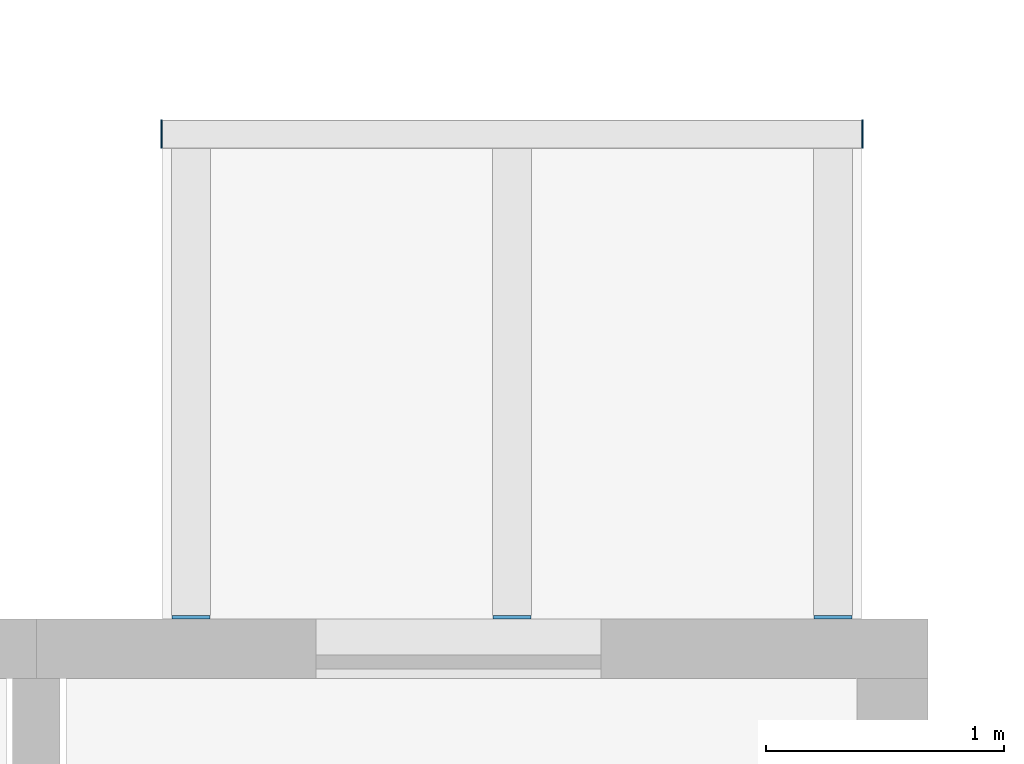
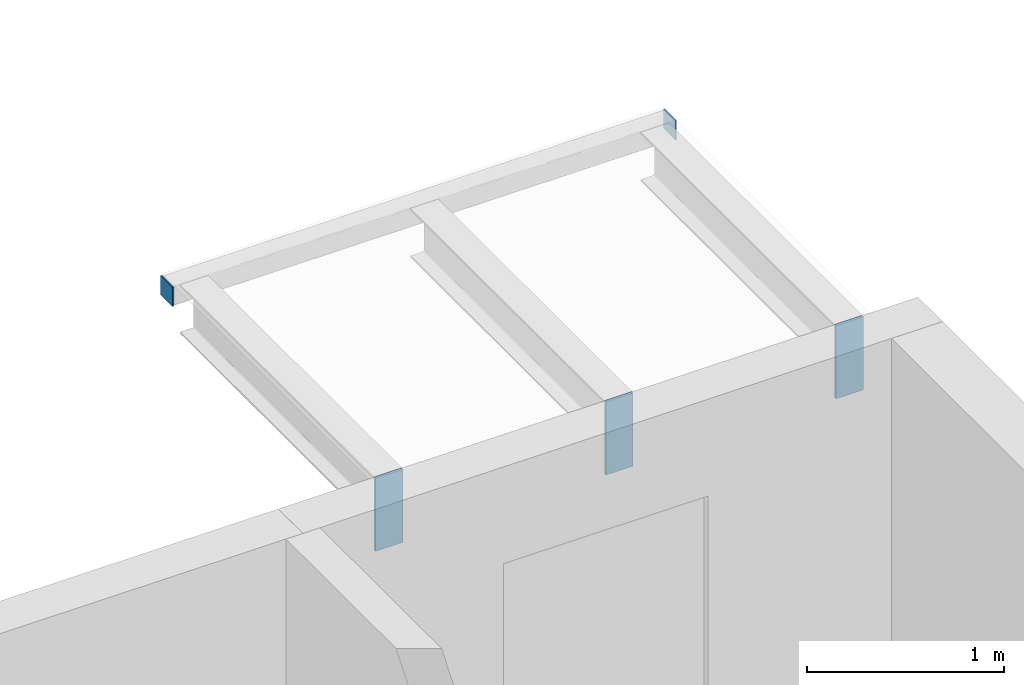
# One storey, part 67 of 98: 5 discrete accessories.
"""IFC4 building model written with IfcOpenShell, lengths in metres."""

import ifcopenshell
import ifcopenshell.guid

model = None  # the IFC model being written
_history = None  # IfcOwnerHistory: only IFC2X3 demands one
_inside = {}  # id of a spatial element -> (the spatial element, [elements in it])
_under = {}  # id of a project, library or spatial element -> (it, [spatial elements below it])
_declared = {}  # id of a project -> (the project, [libraries it declares])
_typed = {}  # id of a type object -> (the type object, [elements of that type])
_made_of = {}  # id of a material, layer set ... -> (it, [elements and type objects made of it])


def new_model(schema):
    """Start an empty IFC model of exactly this schema.

    Asked for "IFC4X3", IfcOpenShell would pick the latest addendum, in which some entities
    have other attributes; the version numbers below select the first issue.
    IFC2X3 requires an IfcOwnerHistory on every rooted entity: one is made here for all.
    """
    global model, _history
    if schema == "IFC4X3":
        model = ifcopenshell.file(schema_version=(4, 3, 0, 0))
    else:
        model = ifcopenshell.file(schema=schema)
    _inside.clear()
    _under.clear()
    _declared.clear()
    _typed.clear()
    _made_of.clear()
    _history = None
    if model.schema == "IFC2X3":
        org = make("IfcOrganization", Name="unknown")
        user = make(
            "IfcPersonAndOrganization",
            ThePerson=make("IfcPerson", FamilyName="unknown"),
            TheOrganization=org,
        )
        app = make(
            "IfcApplication",
            ApplicationDeveloper=org,
            Version="unknown",
            ApplicationFullName="unknown",
            ApplicationIdentifier="unknown",
        )
        _history = make(
            "IfcOwnerHistory",
            OwningUser=user,
            OwningApplication=app,
            ChangeAction="ADDED",
            CreationDate=0,
        )
    return model


def make(cls, **values):
    """One entity of the class cls with the attributes given. An attribute that is None is left unset."""
    return model.create_entity(
        cls, **{name: value for name, value in values.items() if value is not None}
    )


def rooted(cls, **values):
    """An entity with a GlobalId (a new one), such as an element, a storey or a relation."""
    return make(cls, GlobalId=ifcopenshell.guid.new(), OwnerHistory=_history, **values)


def si_unit(unit_type, name, prefix=None):
    """IfcSIUnit, for example si_unit("LENGTHUNIT", "METRE", prefix="MILLI")."""
    return make("IfcSIUnit", UnitType=unit_type, Prefix=prefix, Name=name)


def assignment(units):
    """IfcUnitAssignment: the units of a project."""
    return None if units is None else make("IfcUnitAssignment", Units=units)


def point(xyz):
    """IfcCartesianPoint."""
    return None if xyz is None else make("IfcCartesianPoint", Coordinates=xyz)


def direction(xyz):
    """IfcDirection."""
    return None if xyz is None else make("IfcDirection", DirectionRatios=xyz)


def frame(location, z_axis=None, x_axis=None):
    """IfcAxis2Placement3D, a coordinate frame: its origin and axes. An axis left out is left unset."""
    return make(
        "IfcAxis2Placement3D",
        Location=point(location),
        Axis=direction(z_axis),
        RefDirection=direction(x_axis),
    )


def frame_2d(location, x_axis=None):
    """IfcAxis2Placement2D, a coordinate frame in the plane: its origin and x axis."""
    return make(
        "IfcAxis2Placement2D", Location=point(location), RefDirection=direction(x_axis)
    )


def origin():
    """The frame at (0, 0, 0) with its axes left unset."""
    return frame((0.0, 0.0, 0.0))


def origin_2d():
    """The frame at (0, 0) in the plane with its x axis left unset."""
    return frame_2d((0.0, 0.0))


def place(relative_to, where):
    """IfcLocalPlacement: puts the frame where relative to a parent placement (None: the world)."""
    return make(
        "IfcLocalPlacement", PlacementRelTo=relative_to, RelativePlacement=where
    )


def context(
    kind, dimensions, precision=None, world=None, true_north=None, identifier=None
):
    """IfcGeometricRepresentationContext, for example the 3D "Model" context."""
    return make(
        "IfcGeometricRepresentationContext",
        ContextIdentifier=identifier,
        ContextType=kind,
        CoordinateSpaceDimension=dimensions,
        Precision=precision,
        WorldCoordinateSystem=world,
        TrueNorth=true_north,
    )


def subcontext(parent, identifier, kind, view, scale=None):
    """IfcGeometricRepresentationSubContext, for example "Body" below "Model"."""
    return make(
        "IfcGeometricRepresentationSubContext",
        ContextIdentifier=identifier,
        ContextType=kind,
        ParentContext=parent,
        TargetScale=scale,
        TargetView=view,
    )


def project(units=None, contexts=None):
    """IfcProject with its units and contexts."""
    return rooted(
        "IfcProject",
        Name="project",
        RepresentationContexts=contexts,
        UnitsInContext=assignment(units),
    )


def spatial(cls, under=None, at=None, **own):
    """A site, building, storey or space (cls), placed at a placement, below another one or the project."""
    s = rooted(cls, ObjectPlacement=at, **own)
    if under is not None:
        _under.setdefault(under.id(), (under, []))[1].append(s)
    return s


def profile(cls, at=None, kind="AREA", **sizes):
    """A parametric profile (cls). Its sizes go by their IFC names, for example OverallWidth=200.0."""
    return make(cls, ProfileType=kind, Position=at, **sizes)


def rectangle(**sizes):
    """IfcRectangleProfileDef."""
    return profile("IfcRectangleProfileDef", **sizes)


def extrude(swept, where, along, depth):
    """IfcExtrudedAreaSolid: the profile swept, set in the frame where, extruded along a direction by depth."""
    return make(
        "IfcExtrudedAreaSolid",
        SweptArea=swept,
        Position=where,
        ExtrudedDirection=direction(along),
        Depth=depth,
    )


def shape(context_of_items, identifier, shape_type, items):
    """IfcShapeRepresentation: the items that make up one representation, for example the "Body"."""
    return make(
        "IfcShapeRepresentation",
        ContextOfItems=context_of_items,
        RepresentationIdentifier=identifier,
        RepresentationType=shape_type,
        Items=items,
    )


def material(Name=None, Category=None):
    """IfcMaterial."""
    return make("IfcMaterial", Name=Name, Category=Category)


def layer(
    of_material, thickness, ventilated=None, Name=None, Category=None, Priority=None
):
    """IfcMaterialLayer: one layer of a wall or slab, of a material (None: an air gap)."""
    return make(
        "IfcMaterialLayer",
        Material=of_material,
        LayerThickness=thickness,
        IsVentilated=ventilated,
        Name=Name,
        Category=Category,
        Priority=Priority,
    )


def layer_set(layers, Name=None):
    """IfcMaterialLayerSet."""
    return make("IfcMaterialLayerSet", MaterialLayers=layers, LayerSetName=Name)


def made_of(thing, what):
    """Note that an element or type object is made of a material, layer set ...; save() writes the relation."""
    if what is not None:
        _made_of.setdefault(what.id(), (what, []))[1].append(thing)
    return thing


def type_object(cls, material=None, **own):
    """A type object (cls), such as IfcWallType, which elements share."""
    return made_of(rooted(cls, **own), material)


def element(
    cls,
    number,
    at=None,
    inside=None,
    cuts=None,
    type_object=None,
    material=None,
    context=None,
    identifier="Body",
    shape_type=None,
    held_by="IfcProductDefinitionShape",
    body=None,
    shapes=None,
    **own,
):
    """One element of the class cls, such as IfcWall. Its Tag is "e" and its number.

    at: its placement. inside: the storey or other place that contains it. cuts: it is an
    opening in that element (IfcRelVoidsElement). A single representation is given by context,
    identifier, shape_type and body (its items); several are given by shapes. held_by: the class
    of the entity that holds the representations. save() writes the other relations.
    """
    e = rooted(cls, Tag="e%d" % number, ObjectPlacement=at, **own)
    if body is not None:
        shapes = [shape(context, identifier, shape_type, body)]
    if shapes is not None:
        e.Representation = make(held_by, Representations=shapes)
    if inside is not None:
        _inside.setdefault(inside.id(), (inside, []))[1].append(e)
    if cuts is not None:
        rooted(
            "IfcRelVoidsElement", RelatingBuildingElement=cuts, RelatedOpeningElement=e
        )
    if type_object is not None:
        _typed.setdefault(type_object.id(), (type_object, []))[1].append(e)
    return made_of(e, material)


def aggregate(whole, parts):
    """IfcRelAggregates: a whole, such as a stair, and the parts it consists of."""
    return rooted("IfcRelAggregates", RelatingObject=whole, RelatedObjects=parts)


def save(model, path):
    """Write the relations noted so far, then the file.

    IfcRelAggregates (storeys below a building ...), IfcRelContainedInSpatialStructure (elements
    in a storey), IfcRelDefinesByType, IfcRelAssociatesMaterial and IfcRelDeclares: one each for
    every whole, place, type object, material and project.
    """
    for whole, parts in _under.values():
        aggregate(whole, parts)
    for where, things in _inside.values():
        rooted(
            "IfcRelContainedInSpatialStructure",
            RelatedElements=things,
            RelatingStructure=where,
        )
    for kind, things in _typed.values():
        rooted("IfcRelDefinesByType", RelatedObjects=things, RelatingType=kind)
    for what, things in _made_of.values():
        rooted("IfcRelAssociatesMaterial", RelatedObjects=things, RelatingMaterial=what)
    for by, libraries in _declared.values():
        rooted("IfcRelDeclares", RelatingContext=by, RelatedDefinitions=libraries)
    model.write(path)


model = new_model("IFC4")

# Units and contexts
model_context = context("Model", 3, precision=1e-05, world=origin(), true_north=direction((0.0, 1.0)))
body_context = subcontext(model_context, "Body", "Model", "MODEL_VIEW")
ifc_project = project(units=[si_unit("LENGTHUNIT", "METRE"), si_unit("AREAUNIT", "SQUARE_METRE"), si_unit("VOLUMEUNIT", "CUBIC_METRE"), si_unit("PLANEANGLEUNIT", "RADIAN"), si_unit("MASSUNIT", "GRAM", prefix="KILO")], contexts=[model_context])

# Site, building, storey
site_placement = place(None, origin())
site = spatial("IfcSite", under=ifc_project, at=site_placement, CompositionType="ELEMENT")
building_placement = place(site_placement, origin())
building = spatial("IfcBuilding", under=site, at=building_placement, Name="Ridgestep Commons", CompositionType="ELEMENT")
storey_placement = place(building_placement, frame((0.0, 0.0, 12.0)))
storey = spatial("IfcBuildingStorey", under=building, at=storey_placement, Name="L04", CompositionType="ELEMENT", Elevation=12.0)

# Discrete accessories
ifc_material_1 = material(Name="Weathering steel S355J2W", Category="steel")
ifc_layer_1 = layer(ifc_material_1, 0.014892578125)
ifc_layer_set_1 = layer_set([ifc_layer_1], Name="Tray bracket plate 15")
discrete_accessory_type_1 = type_object("IfcDiscreteAccessoryType", Name="Tray bracket plate 15", PredefinedType="BRACKET", material=ifc_layer_set_1)
for number, where, z_axis, x_axis, name in (
    (1, (109.85009765625, 23.007568359375, 2.53662109375), (0.0, 0.0, 1.0), (1.0, 0.0, 0.0), "Tray bracket A6T1-05.1"),
    (2, (111.199951171875, 23.007568359375, 2.53662109375), (0.0, 0.0, 1.0), (1.0, 0.0, 0.0), "Tray bracket A6T1-05.2"),
    (3, (112.550048828125, 23.007568359375, 2.53662109375), (0.0, 0.0, 1.0), (1.0, 0.0, 0.0), "Tray bracket A6T1-05.3"),
):
    element("IfcDiscreteAccessory", number, at=place(storey_placement, frame(where, z_axis=z_axis, x_axis=x_axis)), inside=storey, type_object=discrete_accessory_type_1, Name=name, PredefinedType="BRACKET", context=body_context, shape_type="SweptSolid", body=[
        extrude(rectangle(XDim=0.159912109375, YDim=0.014892578125, at=origin_2d()), origin(), (0.0, 0.0, 1.0), 0.453369140625),
    ])
ifc_material_2 = material(Name="Weathering steel S355J2W", Category="steel")
ifc_layer_2 = layer(ifc_material_2, 0.008056640625)
ifc_layer_set_2 = layer_set([ifc_layer_2], Name="Tray edge member end plate 120 x 120 x 8")
discrete_accessory_type_2 = type_object("IfcDiscreteAccessoryType", Name="Tray edge member end plate 120 x 120 x 8", PredefinedType="BRACKET", material=ifc_layer_set_2)
for number, where, z_axis, x_axis, name in (
    (4, (109.72607421875, 25.0400390625, 2.869873046875), (0.0, 0.0, 1.0), (1.0, 0.0, 0.0), "Tray edge member end plate A6T1-05 west"),
    (5, (112.674072265625, 25.0400390625, 2.869873046875), (0.0, 0.0, 1.0), (1.0, 0.0, 0.0), "Tray edge member end plate A6T1-05 east"),
):
    element("IfcDiscreteAccessory", number, at=place(storey_placement, frame(where, z_axis=z_axis, x_axis=x_axis)), inside=storey, type_object=discrete_accessory_type_2, Name=name, PredefinedType="BRACKET", context=body_context, shape_type="SweptSolid", body=[
        extrude(rectangle(XDim=0.008056640625, YDim=0.1201171875, at=origin_2d()), origin(), (0.0, 0.0, 1.0), 0.1201171875),
    ])

save(model, "model.ifc")
